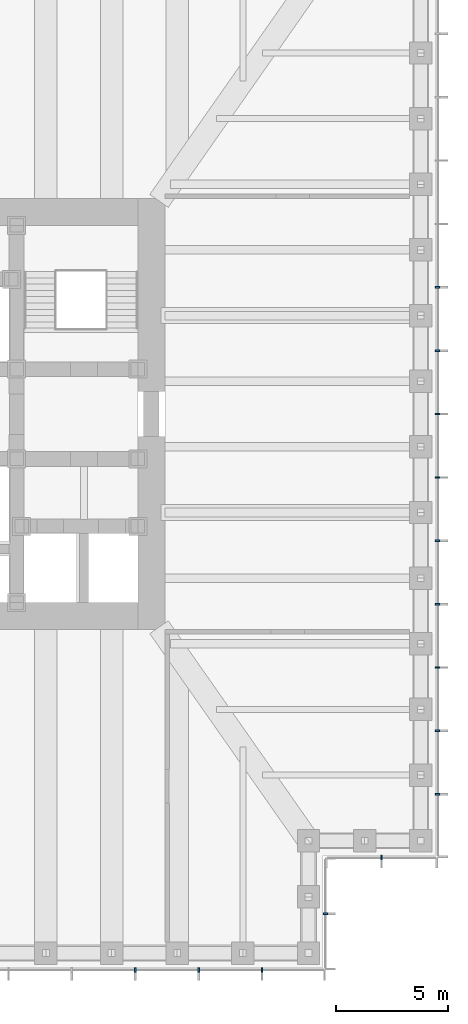
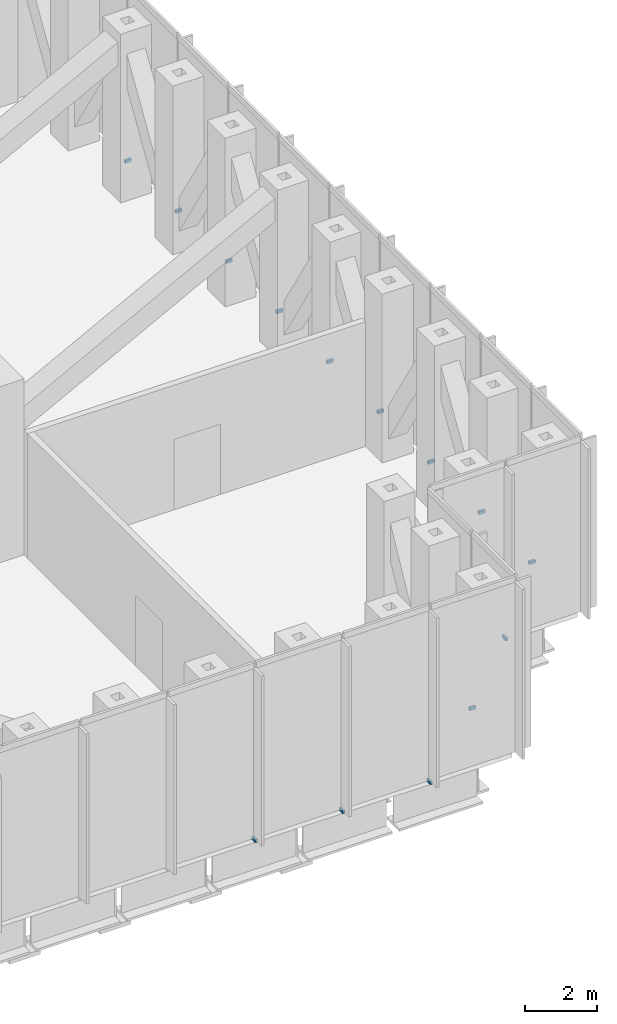
# One storey, part 12 of 15: 14 discrete accessories.
"""IFC4 building model written with IfcOpenShell, lengths in metres."""

from ifc_helpers import new_model, si_unit, direction, frame, origin, origin_2d, place, context, subcontext, project, spatial, rectangle, extrude, element, save


model = new_model("IFC4")

# Units and contexts
model_context = context("Model", 3, precision=1e-05, world=origin(), true_north=direction((0.0, 1.0)))
body_context = subcontext(model_context, "Body", "Model", "MODEL_VIEW")
ifc_project = project(units=[si_unit("LENGTHUNIT", "METRE"), si_unit("AREAUNIT", "SQUARE_METRE"), si_unit("VOLUMEUNIT", "CUBIC_METRE"), si_unit("PLANEANGLEUNIT", "RADIAN"), si_unit("MASSUNIT", "GRAM", prefix="KILO")], contexts=[model_context])

# Site, building, storey
site_placement = place(None, origin())
site = spatial("IfcSite", under=ifc_project, at=site_placement, CompositionType="ELEMENT")
building_placement = place(site_placement, origin())
building = spatial("IfcBuilding", under=site, at=building_placement, Name="Daluyong Arena Tower", CompositionType="ELEMENT")
storey_placement = place(building_placement, frame((0.0, 0.0, 102.10009765625)))
storey = spatial("IfcBuildingStorey", under=building, at=storey_placement, Name="L22", CompositionType="ELEMENT", Elevation=102.10009765625)

# Discrete accessories
for number, where, z_axis, x_axis, name in (
    (1, (67.28564453125, 55.25, -0.10009765625), (0.0, 0.0, 1.0), (1.0, 0.0, 0.0), "curtain wall L22 S anchor bracket 12"),
    (2, (70.107177734375, 55.25, -0.10009765625), (0.0, 0.0, 1.0), (1.0, 0.0, 0.0), "curtain wall L22 S anchor bracket 13"),
    (3, (72.928466796875, 55.25, -0.10009765625), (0.0, 0.0, 1.0), (1.0, 0.0, 0.0), "curtain wall L22 S anchor bracket 14"),
    (4, (75.75, 57.75, -0.10009765625), (0.0, 0.0, 1.0), (0.0, 1.0, 0.0), "curtain wall L22 SE-E anchor bracket 2"),
    (5, (78.25, 60.25, -0.10009765625), (0.0, 0.0, 1.0), (1.0, 0.0, 0.0), "curtain wall L22 SE-S anchor bracket 2"),
    (6, (80.75, 63.071533203125, -0.10009765625), (0.0, 0.0, 1.0), (0.0, 1.0, 0.0), "curtain wall L22 E anchor bracket 2"),
    (7, (80.75, 65.892822265625, -0.10009765625), (0.0, 0.0, 1.0), (0.0, 1.0, 0.0), "curtain wall L22 E anchor bracket 3"),
    (8, (80.75, 68.71435546875, -0.10009765625), (0.0, 0.0, 1.0), (0.0, 1.0, 0.0), "curtain wall L22 E anchor bracket 4"),
    (9, (80.75, 71.53564453125, -0.10009765625), (0.0, 0.0, 1.0), (0.0, 1.0, 0.0), "curtain wall L22 E anchor bracket 5"),
    (10, (80.75, 74.357177734375, -0.10009765625), (0.0, 0.0, 1.0), (0.0, 1.0, 0.0), "curtain wall L22 E anchor bracket 6"),
    (11, (80.75, 77.178466796875, -0.10009765625), (0.0, 0.0, 1.0), (0.0, 1.0, 0.0), "curtain wall L22 E anchor bracket 7"),
    (12, (80.75, 80.0, -0.10009765625), (0.0, 0.0, 1.0), (0.0, 1.0, 0.0), "curtain wall L22 E anchor bracket 8"),
    (13, (80.75, 82.821533203125, -0.10009765625), (0.0, 0.0, 1.0), (0.0, 1.0, 0.0), "curtain wall L22 E anchor bracket 9"),
    (14, (80.75, 85.642822265625, -0.10009765625), (0.0, 0.0, 1.0), (0.0, 1.0, 0.0), "curtain wall L22 E anchor bracket 10"),
):
    element("IfcDiscreteAccessory", number, at=place(storey_placement, frame(where, z_axis=z_axis, x_axis=x_axis)), inside=storey, Name=name, PredefinedType="BRACKET", context=body_context, shape_type="SweptSolid", body=[
        extrude(rectangle(XDim=0.080078125, YDim=0.199951171875, at=origin_2d()), origin(), (0.0, 0.0, 1.0), 0.10009765625),
    ])

save(model, "model.ifc")
